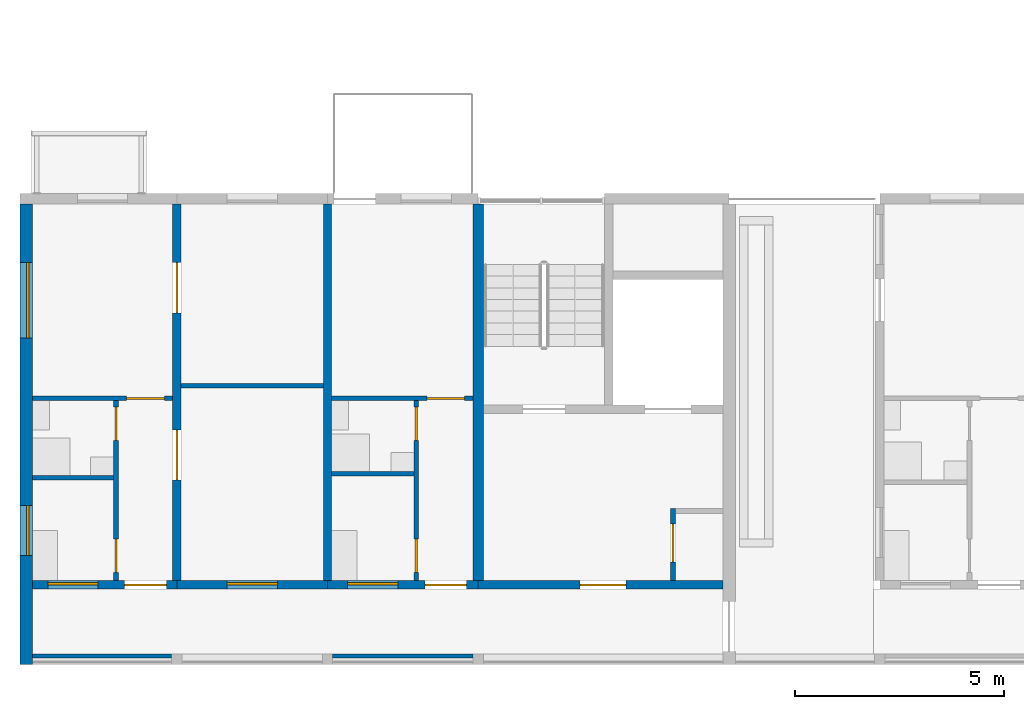
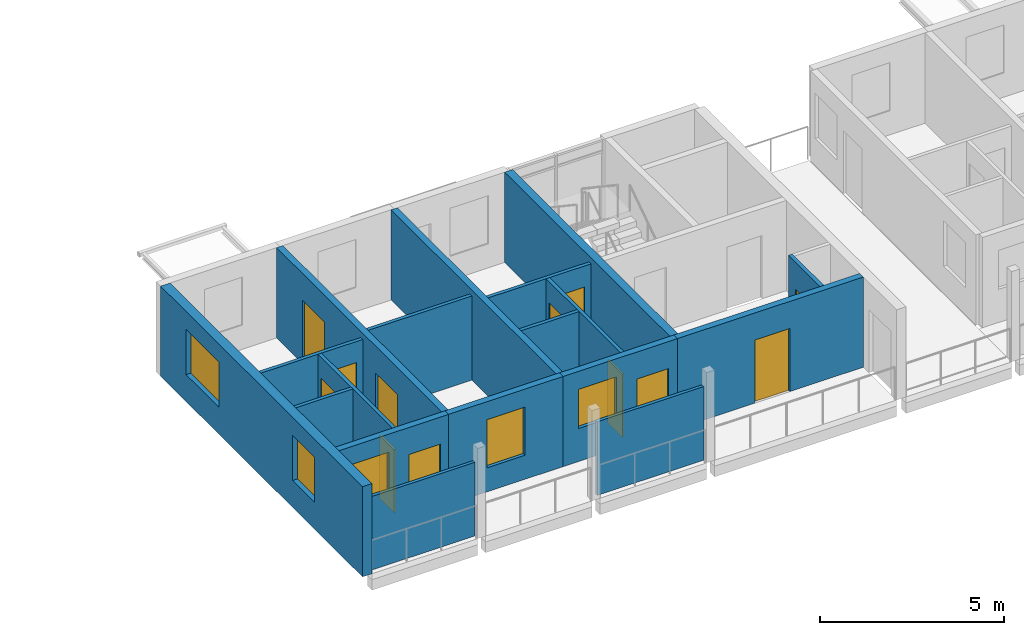
# One storey, part 31 of 78: 18 walls, 12 doors, 5 windows, 17 openings.
"""IFC4 building model written with IfcOpenShell, lengths in metres."""

from ifc_helpers import new_model, si_unit, direction, frame, frame_2d, origin, place, context, subcontext, project, spatial, rectangle, extrude, material, layer, layer_set, type_object, element, fill, save


model = new_model("IFC4")

# Units and contexts
model_context = context("Model", 3, precision=1e-05, world=origin(), true_north=direction((0.0, 1.0)))
body_context = subcontext(model_context, "Body", "Model", "MODEL_VIEW")
ifc_project = project(units=[si_unit("LENGTHUNIT", "METRE"), si_unit("AREAUNIT", "SQUARE_METRE"), si_unit("VOLUMEUNIT", "CUBIC_METRE"), si_unit("PLANEANGLEUNIT", "RADIAN"), si_unit("MASSUNIT", "GRAM", prefix="KILO")], contexts=[model_context])

# Site, building, storey
site_placement = place(None, origin())
site = spatial("IfcSite", under=ifc_project, at=site_placement, CompositionType="ELEMENT")
building_placement = place(site_placement, origin())
building = spatial("IfcBuilding", under=site, at=building_placement, Name="Ridgestep Commons", CompositionType="ELEMENT")
storey_placement = place(building_placement, frame((0.0, 0.0, 30.0)))
storey = spatial("IfcBuildingStorey", under=building, at=storey_placement, Name="L10", CompositionType="ELEMENT", Elevation=30.0)

# Wall
ifc_material_1 = material(Name="Concrete C30/37", Category="concrete")
ifc_layer_1 = layer(ifc_material_1, 0.25)
ifc_layer_set_1 = layer_set([ifc_layer_1], Name="Core cross wall 250")
wall_type_1 = type_object("IfcWallType", Name="Core cross wall 250", PredefinedType="SHEAR", material=ifc_layer_set_1)
wall_1_placement = place(storey_placement, frame((22.800048828125, 13.75, 0.0), z_axis=(0.0, 0.0, 1.0), x_axis=(0.0, 1.0, 0.0)))
element("IfcWall", 1, at=wall_1_placement, inside=storey, type_object=wall_type_1, Name="Cross wall A-10-0228", PredefinedType="SHEAR", context=body_context, shape_type="SweptSolid", body=[
    extrude(rectangle(XDim=9.0, YDim=0.25, at=frame_2d((4.5, 0.0))), origin(), (0.0, 0.0, 1.0), 3.0),
])

# Wall, opening, door
ifc_material_2 = material(Name="Concrete C30/37", Category="concrete")
ifc_layer_2 = layer(ifc_material_2, 0.199951171875)
ifc_layer_set_2 = layer_set([ifc_layer_2], Name="Core south wall 200")
wall_type_2 = type_object("IfcWallType", Name="Core south wall 200", PredefinedType="SHEAR", material=ifc_layer_set_2)
wall_2_placement = place(storey_placement, frame((22.800048828125, 13.64990234375, 0.0), z_axis=(0.0, 0.0, 1.0), x_axis=(1.0, 0.0, 0.0)))
wall_2 = element("IfcWall", 2, at=wall_2_placement, inside=storey, type_object=wall_type_2, Name="Core south wall A1C L10", PredefinedType="SHEAR", context=body_context, shape_type="SweptSolid", body=[
    extrude(rectangle(XDim=5.849853515625, YDim=0.199951171875, at=frame_2d((2.9248046875, 0.0))), origin(), (0.0, 0.0, 1.0), 3.0),
])
opening_1_placement = place(wall_2_placement, frame((2.4375, 0.0, 0.0)))
opening_1 = element("IfcOpeningElement", 3, at=opening_1_placement, cuts=wall_2, Name="Opening A1C/10/1", PredefinedType="OPENING", context=body_context, shape_type="SweptSolid", body=[
    extrude(rectangle(XDim=1.10009765625, YDim=2.10009765625, at=frame_2d((0.550048828125, 1.050048828125))), frame((0.0, 0.10986328125, 0.0), z_axis=(0.0, -1.0, 0.0), x_axis=(1.0, 0.0, 0.0)), (0.0, 0.0, 1.0), 0.219970703125),
])
ifc_material_3 = material(Name="Steel fire door", Category="steel")
door_type_1 = type_object("IfcDoorType", Name="Lobby door 1100 x 2100 FD60", OperationType="NOTDEFINED", PredefinedType="DOOR", material=ifc_material_3)
door_1_placement = place(opening_1_placement, origin())
door_1 = element("IfcDoor", 4, at=door_1_placement, inside=storey, type_object=door_type_1, Name="Lobby door A1C/10/1", OperationType="SINGLE_SWING_LEFT", OverallHeight=2.10009765625, OverallWidth=1.10009765625, PredefinedType="DOOR", context=body_context, shape_type="SweptSolid", body=[
    extrude(rectangle(XDim=1.10009765625, YDim=2.10009765625, at=frame_2d((0.550048828125, 1.050048828125))), frame((0.0, 0.02490234375, 0.0), z_axis=(0.0, -1.0, 0.0), x_axis=(1.0, 0.0, 0.0)), (0.0, 0.0, 1.0), 0.050048828125),
])
fill(opening_1, door_1)

ifc_material_4 = material(Name="Concrete C30/37", Category="concrete")
ifc_layer_3 = layer(ifc_material_4, 0.1201171875)
ifc_layer_set_3 = layer_set([ifc_layer_3], Name="Core wall 120")
wall_type_3 = type_object("IfcWallType", Name="Core wall 120", PredefinedType="SHEAR", material=ifc_layer_set_3)
wall_3_placement = place(storey_placement, frame((27.4599609375, 13.75, 0.0), z_axis=(0.0, 0.0, 1.0), x_axis=(0.0, 1.0, 0.0)))
wall_3 = element("IfcWall", 5, at=wall_3_placement, inside=storey, type_object=wall_type_3, Name="Core riser w wall A1C L10", PredefinedType="SHEAR", context=body_context, shape_type="SweptSolid", body=[
    extrude(rectangle(XDim=1.719970703125, YDim=0.1201171875, at=frame_2d((0.85986328125, 0.0))), origin(), (0.0, 0.0, 1.0), 3.0),
])
opening_2_placement = place(wall_3_placement, frame((0.449951171875, 0.0, 0.0)))
opening_2 = element("IfcOpeningElement", 6, at=opening_2_placement, cuts=wall_3, Name="Opening A1C/10/4", PredefinedType="OPENING", context=body_context, shape_type="SweptSolid", body=[
    extrude(rectangle(XDim=0.89990234375, YDim=2.10009765625, at=frame_2d((0.449951171875, 1.050048828125))), frame((0.0, 0.070068359375, 0.0), z_axis=(0.0, -1.0, 0.0), x_axis=(1.0, 0.0, 0.0)), (0.0, 0.0, 1.0), 0.14013671875),
])
ifc_material_5 = material(Name="Steel fire door", Category="steel")
door_type_2 = type_object("IfcDoorType", Name="Riser door 900 x 2100 FD60", OperationType="NOTDEFINED", PredefinedType="DOOR", material=ifc_material_5)
door_2_placement = place(opening_2_placement, origin())
door_2 = element("IfcDoor", 7, at=door_2_placement, inside=storey, type_object=door_type_2, Name="Riser door A1C/10/4", OperationType="SINGLE_SWING_LEFT", OverallHeight=2.10009765625, OverallWidth=0.89990234375, PredefinedType="DOOR", context=body_context, shape_type="SweptSolid", body=[
    extrude(rectangle(XDim=0.89990234375, YDim=2.10009765625, at=frame_2d((0.449951171875, 1.050048828125))), frame((0.0, 0.02490234375, 0.0), z_axis=(0.0, -1.0, 0.0), x_axis=(1.0, 0.0, 0.0)), (0.0, 0.0, 1.0), 0.050048828125),
])
fill(opening_2, door_2)

# Wall, openings, doors
ifc_material_6 = material(Name="Precast concrete C40/50", Category="concrete")
ifc_layer_4 = layer(ifc_material_6, 0.199951171875)
ifc_layer_set_4 = layer_set([ifc_layer_4], Name="Cross wall 200")
wall_type_4 = type_object("IfcWallType", Name="Cross wall 200", PredefinedType="SHEAR", material=ifc_layer_set_4)
wall_4_placement = place(storey_placement, frame((15.60009765625, 13.75, 0.0), z_axis=(0.0, 0.0, 1.0), x_axis=(0.0, 1.0, 0.0)))
wall_4 = element("IfcWall", 8, at=wall_4_placement, inside=storey, type_object=wall_type_4, Name="Cross wall A-10-0156", PredefinedType="SHEAR", context=body_context, shape_type="SweptSolid", body=[
    extrude(rectangle(XDim=9.0, YDim=0.199951171875, at=frame_2d((4.5, 0.0))), origin(), (0.0, 0.0, 1.0), 3.0),
])
opening_3_placement = place(wall_4_placement, frame((2.39990234375, 0.0, 0.0)))
opening_3 = element("IfcOpeningElement", 9, at=opening_3_placement, cuts=wall_4, Name="Opening A1-10a/5", PredefinedType="OPENING", context=body_context, shape_type="SweptSolid", body=[
    extrude(rectangle(XDim=1.199951171875, YDim=2.10009765625, at=frame_2d((0.60009765625, 1.050048828125))), frame((0.0, 0.10986328125, 0.0), z_axis=(0.0, -1.0, 0.0), x_axis=(1.0, 0.0, 0.0)), (0.0, 0.0, 1.0), 0.219970703125),
])
opening_4_placement = place(wall_4_placement, frame((6.39990234375, 0.0, 0.0)))
opening_4 = element("IfcOpeningElement", 10, at=opening_4_placement, cuts=wall_4, Name="Opening A1-10a/6", PredefinedType="OPENING", context=body_context, shape_type="SweptSolid", body=[
    extrude(rectangle(XDim=1.199951171875, YDim=2.10009765625, at=frame_2d((0.60009765625, 1.050048828125))), frame((0.0, 0.10986328125, 0.0), z_axis=(0.0, -1.0, 0.0), x_axis=(1.0, 0.0, 0.0)), (0.0, 0.0, 1.0), 0.219970703125),
])
ifc_material_7 = material(Name="Timber door leaf", Category="wood")
door_type_3 = type_object("IfcDoorType", Name="Double door 1200 x 2100", OperationType="DOUBLE_DOOR_SINGLE_SWING", PredefinedType="DOOR", material=ifc_material_7)
door_3_placement = place(opening_3_placement, origin())
door_3 = element("IfcDoor", 11, at=door_3_placement, inside=storey, type_object=door_type_3, Name="Double door A1-10a/5", OperationType="DOUBLE_DOOR_SINGLE_SWING", OverallHeight=2.10009765625, OverallWidth=1.199951171875, PredefinedType="DOOR", context=body_context, shape_type="SweptSolid", body=[
    extrude(rectangle(XDim=1.199951171875, YDim=2.10009765625, at=frame_2d((0.60009765625, 1.050048828125))), frame((0.0, 0.02490234375, 0.0), z_axis=(0.0, -1.0, 0.0), x_axis=(1.0, 0.0, 0.0)), (0.0, 0.0, 1.0), 0.050048828125),
])
fill(opening_3, door_3)
door_4_placement = place(opening_4_placement, origin())
door_4 = element("IfcDoor", 12, at=door_4_placement, inside=storey, type_object=door_type_3, Name="Double door A1-10a/6", OperationType="DOUBLE_DOOR_SINGLE_SWING", OverallHeight=2.10009765625, OverallWidth=1.199951171875, PredefinedType="DOOR", context=body_context, shape_type="SweptSolid", body=[
    extrude(rectangle(XDim=1.199951171875, YDim=2.10009765625, at=frame_2d((0.60009765625, 1.050048828125))), frame((0.0, 0.02490234375, 0.0), z_axis=(0.0, -1.0, 0.0), x_axis=(1.0, 0.0, 0.0)), (0.0, 0.0, 1.0), 0.050048828125),
])
fill(opening_4, door_4)

# Wall
wall_5_placement = place(storey_placement, frame((19.199951171875, 13.75, 0.0), z_axis=(0.0, 0.0, 1.0), x_axis=(0.0, 1.0, 0.0)))
element("IfcWall", 13, at=wall_5_placement, inside=storey, type_object=wall_type_4, Name="Cross wall A-10-0192", PredefinedType="SHEAR", context=body_context, shape_type="SweptSolid", body=[
    extrude(rectangle(XDim=9.0, YDim=0.199951171875, at=frame_2d((4.5, 0.0))), origin(), (0.0, 0.0, 1.0), 3.0),
])

# Wall, openings, windows
ifc_material_8 = material(Name="Precast concrete C40/50", Category="concrete")
ifc_layer_5 = layer(ifc_material_8, 0.300048828125)
ifc_layer_set_5 = layer_set([ifc_layer_5], Name="Exposed division wall 300")
wall_type_5 = type_object("IfcWallType", Name="Exposed division wall 300", PredefinedType="SHEAR", material=ifc_layer_set_5)
wall_6_placement = place(storey_placement, frame((12.0, 11.75, 0.0), z_axis=(0.0, 0.0, 1.0), x_axis=(0.0, 1.0, 0.0)))
wall_6 = element("IfcWall", 14, at=wall_6_placement, inside=storey, type_object=wall_type_5, Name="Cross wall A-10-0120", PredefinedType="SHEAR", context=body_context, shape_type="SweptSolid", body=[
    extrude(rectangle(XDim=11.0, YDim=0.300048828125, at=frame_2d((5.5, 0.0))), origin(), (0.0, 0.0, 1.0), 3.0),
])
opening_5_placement = place(wall_6_placement, frame((2.60009765625, 0.0, 0.89990234375)))
opening_5 = element("IfcOpeningElement", 15, at=opening_5_placement, cuts=wall_6, Name="Opening W10", PredefinedType="OPENING", context=body_context, shape_type="SweptSolid", body=[
    extrude(rectangle(XDim=1.199951171875, YDim=1.5, at=frame_2d((0.60009765625, 0.75))), frame((0.0, 0.159912109375, 0.0), z_axis=(0.0, -1.0, 0.0), x_axis=(1.0, 0.0, 0.0)), (0.0, 0.0, 1.0), 0.320068359375),
])
opening_6_placement = place(wall_6_placement, frame((7.804931640625, 0.0, 0.89990234375)))
opening_6 = element("IfcOpeningElement", 16, at=opening_6_placement, cuts=wall_6, Name="Opening W20", PredefinedType="OPENING", context=body_context, shape_type="SweptSolid", body=[
    extrude(rectangle(XDim=1.800048828125, YDim=1.5, at=frame_2d((0.89990234375, 0.75))), frame((0.0, 0.159912109375, 0.0), z_axis=(0.0, -1.0, 0.0), x_axis=(1.0, 0.0, 0.0)), (0.0, 0.0, 1.0), 0.320068359375),
])
ifc_material_9 = material(Name="Aluminium 6063-T6 and glass", Category="aluminium")
window_type_1 = type_object("IfcWindowType", Name="Flat window 1200 x 1500", PartitioningType="SINGLE_PANEL", PredefinedType="WINDOW", material=ifc_material_9)
window_1_placement = place(opening_5_placement, origin())
window_1 = element("IfcWindow", 17, at=window_1_placement, inside=storey, type_object=window_type_1, Name="Window A1-10a 5", OverallHeight=1.5, OverallWidth=1.199951171875, PartitioningType="SINGLE_PANEL", PredefinedType="WINDOW", context=body_context, shape_type="SweptSolid", body=[
    extrude(rectangle(XDim=1.199951171875, YDim=1.5, at=frame_2d((0.60009765625, 0.75))), frame((0.0, 0.0, 0.0), z_axis=(0.0, -1.0, 0.0), x_axis=(1.0, 0.0, 0.0)), (0.0, 0.0, 1.0), 0.06005859375),
])
fill(opening_5, window_1)
ifc_material_10 = material(Name="Aluminium 6063-T6 and glass", Category="aluminium")
window_type_2 = type_object("IfcWindowType", Name="Flat window 1800 x 1500", PartitioningType="DOUBLE_PANEL_VERTICAL", PredefinedType="WINDOW", material=ifc_material_10)
window_2_placement = place(opening_6_placement, origin())
window_2 = element("IfcWindow", 18, at=window_2_placement, inside=storey, type_object=window_type_2, Name="Window A1-10a 6", OverallHeight=1.5, OverallWidth=1.800048828125, PartitioningType="SINGLE_PANEL", PredefinedType="WINDOW", context=body_context, shape_type="SweptSolid", body=[
    extrude(rectangle(XDim=1.800048828125, YDim=1.5, at=frame_2d((0.89990234375, 0.75))), frame((0.0, 0.0, 0.0), z_axis=(0.0, -1.0, 0.0), x_axis=(1.0, 0.0, 0.0)), (0.0, 0.0, 1.0), 0.06005859375),
])
fill(opening_6, window_2)

# Wall
ifc_material_11 = material(Name="Common brick 110 mm", Category="masonry")
ifc_layer_6 = layer(ifc_material_11, 0.110107421875)
ifc_layer_set_6 = layer_set([ifc_layer_6], Name="Partition 110")
wall_type_6 = type_object("IfcWallType", Name="Partition 110", PredefinedType="PARTITIONING", material=ifc_layer_set_6)
wall_7_placement = place(storey_placement, frame((12.14990234375, 16.205078125, 0.0), z_axis=(0.0, 0.0, 1.0), x_axis=(1.0, 0.0, 0.0)))
element("IfcWall", 19, at=wall_7_placement, inside=storey, type_object=wall_type_6, Name="Partition A1-10a", PredefinedType="PARTITIONING", context=body_context, shape_type="SweptSolid", body=[
    extrude(rectangle(XDim=1.940185546875, YDim=0.110107421875, at=frame_2d((0.97021484375, 0.0))), origin(), (0.0, 0.0, 1.0), 2.800048828125),
])

# Wall, openings, doors
wall_8_placement = place(storey_placement, frame((14.14501953125, 13.75, 0.0), z_axis=(0.0, 0.0, 1.0), x_axis=(0.0, 1.0, 0.0)))
wall_8 = element("IfcWall", 20, at=wall_8_placement, inside=storey, type_object=wall_type_6, Name="Partition A1-10a", PredefinedType="PARTITIONING", context=body_context, shape_type="SweptSolid", body=[
    extrude(rectangle(XDim=4.300048828125, YDim=0.110107421875, at=frame_2d((2.14990234375, 0.0))), origin(), (0.0, 0.0, 1.0), 2.800048828125),
])
opening_7_placement = place(wall_8_placement, frame((0.199951171875, 0.0, 0.0)))
opening_7 = element("IfcOpeningElement", 21, at=opening_7_placement, cuts=wall_8, Name="Opening A1-10a/2", PredefinedType="OPENING", context=body_context, shape_type="SweptSolid", body=[
    extrude(rectangle(XDim=0.800048828125, YDim=2.10009765625, at=frame_2d((0.39990234375, 1.050048828125))), frame((0.0, 0.06494140625, 0.0), z_axis=(0.0, -1.0, 0.0), x_axis=(1.0, 0.0, 0.0)), (0.0, 0.0, 1.0), 0.130126953125),
])
opening_8_placement = place(wall_8_placement, frame((3.35009765625, 0.0, 0.0)))
opening_8 = element("IfcOpeningElement", 22, at=opening_8_placement, cuts=wall_8, Name="Opening A1-10a/3", PredefinedType="OPENING", context=body_context, shape_type="SweptSolid", body=[
    extrude(rectangle(XDim=0.800048828125, YDim=2.10009765625, at=frame_2d((0.39990234375, 1.050048828125))), frame((0.0, 0.06494140625, 0.0), z_axis=(0.0, -1.0, 0.0), x_axis=(1.0, 0.0, 0.0)), (0.0, 0.0, 1.0), 0.130126953125),
])
ifc_material_12 = material(Name="Timber door leaf", Category="wood")
door_type_4 = type_object("IfcDoorType", Name="Internal door 800 x 2100", OperationType="NOTDEFINED", PredefinedType="DOOR", material=ifc_material_12)
door_5_placement = place(opening_7_placement, origin())
door_5 = element("IfcDoor", 23, at=door_5_placement, inside=storey, type_object=door_type_4, Name="Internal door A1-10a/2", OperationType="SINGLE_SWING_LEFT", OverallHeight=2.10009765625, OverallWidth=0.800048828125, PredefinedType="DOOR", context=body_context, shape_type="SweptSolid", body=[
    extrude(rectangle(XDim=0.800048828125, YDim=2.10009765625, at=frame_2d((0.39990234375, 1.050048828125))), frame((0.0, 0.02490234375, 0.0), z_axis=(0.0, -1.0, 0.0), x_axis=(1.0, 0.0, 0.0)), (0.0, 0.0, 1.0), 0.050048828125),
])
fill(opening_7, door_5)
door_6_placement = place(opening_8_placement, origin())
door_6 = element("IfcDoor", 24, at=door_6_placement, inside=storey, type_object=door_type_4, Name="Internal door A1-10a/3", OperationType="SINGLE_SWING_RIGHT", OverallHeight=2.10009765625, OverallWidth=0.800048828125, PredefinedType="DOOR", context=body_context, shape_type="SweptSolid", body=[
    extrude(rectangle(XDim=0.800048828125, YDim=2.10009765625, at=frame_2d((0.39990234375, 1.050048828125))), frame((0.0, 0.02490234375, 0.0), z_axis=(0.0, -1.0, 0.0), x_axis=(1.0, 0.0, 0.0)), (0.0, 0.0, 1.0), 0.050048828125),
])
fill(opening_8, door_6)

# Wall, opening, door
wall_9_placement = place(storey_placement, frame((12.14990234375, 18.10498046875, 0.0), z_axis=(0.0, 0.0, 1.0), x_axis=(1.0, 0.0, 0.0)))
wall_9 = element("IfcWall", 25, at=wall_9_placement, inside=storey, type_object=wall_type_6, Name="Partition A1-10a", PredefinedType="PARTITIONING", context=body_context, shape_type="SweptSolid", body=[
    extrude(rectangle(XDim=3.35009765625, YDim=0.110107421875, at=frame_2d((1.675048828125, 0.0))), origin(), (0.0, 0.0, 1.0), 2.800048828125),
])
opening_9_placement = place(wall_9_placement, frame((2.25, 0.0, 0.0)))
opening_9 = element("IfcOpeningElement", 26, at=opening_9_placement, cuts=wall_9, Name="Opening A1-10a/4", PredefinedType="OPENING", context=body_context, shape_type="SweptSolid", body=[
    extrude(rectangle(XDim=0.89990234375, YDim=2.10009765625, at=frame_2d((0.449951171875, 1.050048828125))), frame((0.0, 0.06494140625, 0.0), z_axis=(0.0, -1.0, 0.0), x_axis=(1.0, 0.0, 0.0)), (0.0, 0.0, 1.0), 0.130126953125),
])
ifc_material_13 = material(Name="Timber door leaf", Category="wood")
door_type_5 = type_object("IfcDoorType", Name="Internal door 900 x 2100", OperationType="NOTDEFINED", PredefinedType="DOOR", material=ifc_material_13)
door_7_placement = place(opening_9_placement, origin())
door_7 = element("IfcDoor", 27, at=door_7_placement, inside=storey, type_object=door_type_5, Name="Internal door A1-10a/4", OperationType="SINGLE_SWING_LEFT", OverallHeight=2.10009765625, OverallWidth=0.89990234375, PredefinedType="DOOR", context=body_context, shape_type="SweptSolid", body=[
    extrude(rectangle(XDim=0.89990234375, YDim=2.10009765625, at=frame_2d((0.449951171875, 1.050048828125))), frame((0.0, 0.02490234375, 0.0), z_axis=(0.0, -1.0, 0.0), x_axis=(1.0, 0.0, 0.0)), (0.0, 0.0, 1.0), 0.050048828125),
])
fill(opening_9, door_7)

# Walls
wall_10_placement = place(storey_placement, frame((15.699951171875, 18.405029296875, 0.0), z_axis=(0.0, 0.0, 1.0), x_axis=(1.0, 0.0, 0.0)))
element("IfcWall", 28, at=wall_10_placement, inside=storey, type_object=wall_type_6, Name="Partition A1-10a", PredefinedType="PARTITIONING", context=body_context, shape_type="SweptSolid", body=[
    extrude(rectangle(XDim=3.400146484375, YDim=0.110107421875, at=frame_2d((1.7001953125, 0.0))), origin(), (0.0, 0.0, 1.0), 2.800048828125),
])
wall_11_placement = place(storey_placement, frame((19.300048828125, 16.304931640625, 0.0), z_axis=(0.0, 0.0, 1.0), x_axis=(1.0, 0.0, 0.0)))
element("IfcWall", 29, at=wall_11_placement, inside=storey, type_object=wall_type_6, Name="Partition A1-10b", PredefinedType="PARTITIONING", context=body_context, shape_type="SweptSolid", body=[
    extrude(rectangle(XDim=1.96484375, YDim=0.110107421875, at=frame_2d((0.982421875, 0.0))), origin(), (0.0, 0.0, 1.0), 2.800048828125),
])

# Wall, openings, doors
wall_12_placement = place(storey_placement, frame((21.320068359375, 13.75, 0.0), z_axis=(0.0, 0.0, 1.0), x_axis=(0.0, 1.0, 0.0)))
wall_12 = element("IfcWall", 30, at=wall_12_placement, inside=storey, type_object=wall_type_6, Name="Partition A1-10b", PredefinedType="PARTITIONING", context=body_context, shape_type="SweptSolid", body=[
    extrude(rectangle(XDim=4.300048828125, YDim=0.110107421875, at=frame_2d((2.14990234375, 0.0))), origin(), (0.0, 0.0, 1.0), 2.800048828125),
])
opening_10_placement = place(wall_12_placement, frame((0.199951171875, 0.0, 0.0)))
opening_10 = element("IfcOpeningElement", 31, at=opening_10_placement, cuts=wall_12, Name="Opening A1-10b/2", PredefinedType="OPENING", context=body_context, shape_type="SweptSolid", body=[
    extrude(rectangle(XDim=0.800048828125, YDim=2.10009765625, at=frame_2d((0.39990234375, 1.050048828125))), frame((0.0, 0.06494140625, 0.0), z_axis=(0.0, -1.0, 0.0), x_axis=(1.0, 0.0, 0.0)), (0.0, 0.0, 1.0), 0.130126953125),
])
opening_11_placement = place(wall_12_placement, frame((3.35009765625, 0.0, 0.0)))
opening_11 = element("IfcOpeningElement", 32, at=opening_11_placement, cuts=wall_12, Name="Opening A1-10b/3", PredefinedType="OPENING", context=body_context, shape_type="SweptSolid", body=[
    extrude(rectangle(XDim=0.800048828125, YDim=2.10009765625, at=frame_2d((0.39990234375, 1.050048828125))), frame((0.0, 0.06494140625, 0.0), z_axis=(0.0, -1.0, 0.0), x_axis=(1.0, 0.0, 0.0)), (0.0, 0.0, 1.0), 0.130126953125),
])
door_8_placement = place(opening_10_placement, origin())
door_8 = element("IfcDoor", 33, at=door_8_placement, inside=storey, type_object=door_type_4, Name="Internal door A1-10b/2", OperationType="SINGLE_SWING_LEFT", OverallHeight=2.10009765625, OverallWidth=0.800048828125, PredefinedType="DOOR", context=body_context, shape_type="SweptSolid", body=[
    extrude(rectangle(XDim=0.800048828125, YDim=2.10009765625, at=frame_2d((0.39990234375, 1.050048828125))), frame((0.0, 0.02490234375, 0.0), z_axis=(0.0, -1.0, 0.0), x_axis=(1.0, 0.0, 0.0)), (0.0, 0.0, 1.0), 0.050048828125),
])
fill(opening_10, door_8)
door_9_placement = place(opening_11_placement, origin())
door_9 = element("IfcDoor", 34, at=door_9_placement, inside=storey, type_object=door_type_4, Name="Internal door A1-10b/3", OperationType="SINGLE_SWING_RIGHT", OverallHeight=2.10009765625, OverallWidth=0.800048828125, PredefinedType="DOOR", context=body_context, shape_type="SweptSolid", body=[
    extrude(rectangle(XDim=0.800048828125, YDim=2.10009765625, at=frame_2d((0.39990234375, 1.050048828125))), frame((0.0, 0.02490234375, 0.0), z_axis=(0.0, -1.0, 0.0), x_axis=(1.0, 0.0, 0.0)), (0.0, 0.0, 1.0), 0.050048828125),
])
fill(opening_11, door_9)

# Wall, opening, door
wall_13_placement = place(storey_placement, frame((19.300048828125, 18.10498046875, 0.0), z_axis=(0.0, 0.0, 1.0), x_axis=(1.0, 0.0, 0.0)))
wall_13 = element("IfcWall", 35, at=wall_13_placement, inside=storey, type_object=wall_type_6, Name="Partition A1-10b", PredefinedType="PARTITIONING", context=body_context, shape_type="SweptSolid", body=[
    extrude(rectangle(XDim=3.375, YDim=0.110107421875, at=frame_2d((1.6875, 0.0))), origin(), (0.0, 0.0, 1.0), 2.800048828125),
])
opening_12_placement = place(wall_13_placement, frame((2.27490234375, 0.0, 0.0)))
opening_12 = element("IfcOpeningElement", 36, at=opening_12_placement, cuts=wall_13, Name="Opening A1-10b/4", PredefinedType="OPENING", context=body_context, shape_type="SweptSolid", body=[
    extrude(rectangle(XDim=0.89990234375, YDim=2.10009765625, at=frame_2d((0.449951171875, 1.050048828125))), frame((0.0, 0.06494140625, 0.0), z_axis=(0.0, -1.0, 0.0), x_axis=(1.0, 0.0, 0.0)), (0.0, 0.0, 1.0), 0.130126953125),
])
door_10_placement = place(opening_12_placement, origin())
door_10 = element("IfcDoor", 37, at=door_10_placement, inside=storey, type_object=door_type_5, Name="Internal door A1-10b/4", OperationType="SINGLE_SWING_LEFT", OverallHeight=2.10009765625, OverallWidth=0.89990234375, PredefinedType="DOOR", context=body_context, shape_type="SweptSolid", body=[
    extrude(rectangle(XDim=0.89990234375, YDim=2.10009765625, at=frame_2d((0.449951171875, 1.050048828125))), frame((0.0, 0.02490234375, 0.0), z_axis=(0.0, -1.0, 0.0), x_axis=(1.0, 0.0, 0.0)), (0.0, 0.0, 1.0), 0.050048828125),
])
fill(opening_12, door_10)

# Walls
ifc_material_14 = material(Name="Precast concrete C30/37", Category="concrete")
ifc_layer_7 = layer(ifc_material_14, 0.10009765625)
ifc_layer_set_7 = layer_set([ifc_layer_7], Name="Perforated gallery screen 3325 x 2450 x 100")
wall_type_7 = type_object("IfcWallType", Name="Perforated gallery screen 3325 x 2450 x 100", PredefinedType="SOLIDWALL", material=ifc_layer_set_7)
wall_14_placement = place(storey_placement, frame((12.14990234375, 11.949951171875, 0.0), z_axis=(0.0, 0.0, 1.0), x_axis=(1.0, 0.0, 0.0)))
element("IfcWall", 38, at=wall_14_placement, inside=storey, type_object=wall_type_7, Name="Gallery screen A1T1 10", PredefinedType="SOLIDWALL", context=body_context, shape_type="SweptSolid", body=[
    extrude(rectangle(XDim=3.3251953125, YDim=0.10009765625, at=frame_2d((1.66259765625, 0.0))), origin(), (0.0, 0.0, 1.0), 2.449951171875),
])
ifc_material_15 = material(Name="Precast concrete C30/37", Category="concrete")
ifc_layer_8 = layer(ifc_material_15, 0.10009765625)
ifc_layer_set_8 = layer_set([ifc_layer_8], Name="Perforated gallery screen 3350 x 2450 x 100")
wall_type_8 = type_object("IfcWallType", Name="Perforated gallery screen 3350 x 2450 x 100", PredefinedType="SOLIDWALL", material=ifc_layer_set_8)
wall_15_placement = place(storey_placement, frame((19.324951171875, 11.949951171875, 0.0), z_axis=(0.0, 0.0, 1.0), x_axis=(1.0, 0.0, 0.0)))
element("IfcWall", 39, at=wall_15_placement, inside=storey, type_object=wall_type_8, Name="Gallery screen A1T3 10", PredefinedType="SOLIDWALL", context=body_context, shape_type="SweptSolid", body=[
    extrude(rectangle(XDim=3.35009765625, YDim=0.10009765625, at=frame_2d((1.675048828125, 0.0))), origin(), (0.0, 0.0, 1.0), 2.449951171875),
])

# Wall, openings, door, window
ifc_material_16 = material(Name="Precast concrete C40/50", Category="concrete")
ifc_layer_9 = layer(ifc_material_16, 0.199951171875)
ifc_layer_set_9 = layer_set([ifc_layer_9], Name="South facade panel 200")
wall_type_9 = type_object("IfcWallType", Name="South facade panel 200", PredefinedType="SOLIDWALL", material=ifc_layer_set_9)
wall_16_placement = place(storey_placement, frame((12.14990234375, 13.64990234375, 0.0), z_axis=(0.0, 0.0, 1.0), x_axis=(1.0, 0.0, 0.0)))
wall_16 = element("IfcWall", 40, at=wall_16_placement, inside=storey, type_object=wall_type_9, Name="South panel A1T1 L10", PredefinedType="SOLIDWALL", context=body_context, shape_type="SweptSolid", body=[
    extrude(rectangle(XDim=3.4501953125, YDim=0.199951171875, at=frame_2d((1.72509765625, 0.0))), origin(), (0.0, 0.0, 1.0), 3.0),
])
opening_13_placement = place(wall_16_placement, frame((0.3701171875, 0.0, 1.10009765625)))
opening_13 = element("IfcOpeningElement", 41, at=opening_13_placement, cuts=wall_16, Name="Opening W08", PredefinedType="OPENING", context=body_context, shape_type="SweptSolid", body=[
    extrude(rectangle(XDim=1.199951171875, YDim=1.300048828125, at=frame_2d((0.60009765625, 0.64990234375))), frame((0.0, 0.10986328125, 0.0), z_axis=(0.0, -1.0, 0.0), x_axis=(1.0, 0.0, 0.0)), (0.0, 0.0, 1.0), 0.219970703125),
])
opening_14_placement = place(wall_16_placement, frame((2.199951171875, 0.0, 0.0)))
opening_14 = element("IfcOpeningElement", 42, at=opening_14_placement, cuts=wall_16, Name="Opening A1-10a/1", PredefinedType="OPENING", context=body_context, shape_type="SweptSolid", body=[
    extrude(rectangle(XDim=1.0, YDim=2.10009765625, at=frame_2d((0.5, 1.050048828125))), frame((0.0, 0.10986328125, 0.0), z_axis=(0.0, -1.0, 0.0), x_axis=(1.0, 0.0, 0.0)), (0.0, 0.0, 1.0), 0.219970703125),
])
ifc_material_17 = material(Name="Timber door leaf", Category="wood")
door_type_6 = type_object("IfcDoorType", Name="Flat entrance door 1000 x 2100 FD30S", OperationType="NOTDEFINED", PredefinedType="DOOR", material=ifc_material_17)
door_11_placement = place(opening_14_placement, origin())
door_11 = element("IfcDoor", 43, at=door_11_placement, inside=storey, type_object=door_type_6, Name="Flat entrance door A1-10a/1", OperationType="SINGLE_SWING_RIGHT", OverallHeight=2.10009765625, OverallWidth=1.0, PredefinedType="DOOR", context=body_context, shape_type="SweptSolid", body=[
    extrude(rectangle(XDim=1.0, YDim=2.10009765625, at=frame_2d((0.5, 1.050048828125))), frame((0.0, 0.02490234375, 0.0), z_axis=(0.0, -1.0, 0.0), x_axis=(1.0, 0.0, 0.0)), (0.0, 0.0, 1.0), 0.050048828125),
])
fill(opening_14, door_11)
ifc_material_18 = material(Name="Aluminium 6063-T6 and glass", Category="aluminium")
window_type_3 = type_object("IfcWindowType", Name="Flat window 1200 x 1300", PartitioningType="SINGLE_PANEL", PredefinedType="WINDOW", material=ifc_material_18)
window_3_placement = place(opening_13_placement, origin())
window_3 = element("IfcWindow", 44, at=window_3_placement, inside=storey, type_object=window_type_3, Name="Window A1-10a 3", OverallHeight=1.300048828125, OverallWidth=1.199951171875, PartitioningType="SINGLE_PANEL", PredefinedType="WINDOW", context=body_context, shape_type="SweptSolid", body=[
    extrude(rectangle(XDim=1.199951171875, YDim=1.300048828125, at=frame_2d((0.60009765625, 0.64990234375))), frame((0.0, 0.06005859375, 0.0), z_axis=(0.0, -1.0, 0.0), x_axis=(1.0, 0.0, 0.0)), (0.0, 0.0, 1.0), 0.06005859375),
])
fill(opening_13, window_3)

# Wall, opening, window
wall_17_placement = place(storey_placement, frame((15.60009765625, 13.64990234375, 0.0), z_axis=(0.0, 0.0, 1.0), x_axis=(1.0, 0.0, 0.0)))
wall_17 = element("IfcWall", 45, at=wall_17_placement, inside=storey, type_object=wall_type_9, Name="South panel A1T2 L10", PredefinedType="SOLIDWALL", context=body_context, shape_type="SweptSolid", body=[
    extrude(rectangle(XDim=3.599853515625, YDim=0.199951171875, at=frame_2d((1.7998046875, 0.0))), origin(), (0.0, 0.0, 1.0), 3.0),
])
opening_15_placement = place(wall_17_placement, frame((1.199951171875, 0.0, 0.800048828125)))
opening_15 = element("IfcOpeningElement", 46, at=opening_15_placement, cuts=wall_17, Name="Opening W11", PredefinedType="OPENING", context=body_context, shape_type="SweptSolid", body=[
    extrude(rectangle(XDim=1.199951171875, YDim=1.60009765625, at=frame_2d((0.60009765625, 0.800048828125))), frame((0.0, 0.10986328125, 0.0), z_axis=(0.0, -1.0, 0.0), x_axis=(1.0, 0.0, 0.0)), (0.0, 0.0, 1.0), 0.219970703125),
])
ifc_material_19 = material(Name="Aluminium 6063-T6 and glass", Category="aluminium")
window_type_4 = type_object("IfcWindowType", Name="Flat window 1200 x 1600", PartitioningType="SINGLE_PANEL", PredefinedType="WINDOW", material=ifc_material_19)
window_4_placement = place(opening_15_placement, origin())
window_4 = element("IfcWindow", 47, at=window_4_placement, inside=storey, type_object=window_type_4, Name="Window A1-10a 1", OverallHeight=1.60009765625, OverallWidth=1.199951171875, PartitioningType="SINGLE_PANEL", PredefinedType="WINDOW", context=body_context, shape_type="SweptSolid", body=[
    extrude(rectangle(XDim=1.199951171875, YDim=1.60009765625, at=frame_2d((0.60009765625, 0.800048828125))), frame((0.0, 0.06005859375, 0.0), z_axis=(0.0, -1.0, 0.0), x_axis=(1.0, 0.0, 0.0)), (0.0, 0.0, 1.0), 0.06005859375),
])
fill(opening_15, window_4)

# Wall, openings, door, window
wall_18_placement = place(storey_placement, frame((19.199951171875, 13.64990234375, 0.0), z_axis=(0.0, 0.0, 1.0), x_axis=(1.0, 0.0, 0.0)))
wall_18 = element("IfcWall", 48, at=wall_18_placement, inside=storey, type_object=wall_type_9, Name="South panel A1T3 L10", PredefinedType="SOLIDWALL", context=body_context, shape_type="SweptSolid", body=[
    extrude(rectangle(XDim=3.60009765625, YDim=0.199951171875, at=frame_2d((1.800048828125, 0.0))), origin(), (0.0, 0.0, 1.0), 3.0),
])
opening_16_placement = place(wall_18_placement, frame((0.482421875, 0.0, 1.10009765625)))
opening_16 = element("IfcOpeningElement", 49, at=opening_16_placement, cuts=wall_18, Name="Opening W08", PredefinedType="OPENING", context=body_context, shape_type="SweptSolid", body=[
    extrude(rectangle(XDim=1.199951171875, YDim=1.300048828125, at=frame_2d((0.60009765625, 0.64990234375))), frame((0.0, 0.10986328125, 0.0), z_axis=(0.0, -1.0, 0.0), x_axis=(1.0, 0.0, 0.0)), (0.0, 0.0, 1.0), 0.219970703125),
])
opening_17_placement = place(wall_18_placement, frame((2.324951171875, 0.0, 0.0)))
opening_17 = element("IfcOpeningElement", 50, at=opening_17_placement, cuts=wall_18, Name="Opening A1-10b/1", PredefinedType="OPENING", context=body_context, shape_type="SweptSolid", body=[
    extrude(rectangle(XDim=1.0, YDim=2.10009765625, at=frame_2d((0.5, 1.050048828125))), frame((0.0, 0.10986328125, 0.0), z_axis=(0.0, -1.0, 0.0), x_axis=(1.0, 0.0, 0.0)), (0.0, 0.0, 1.0), 0.219970703125),
])
door_12_placement = place(opening_17_placement, origin())
door_12 = element("IfcDoor", 51, at=door_12_placement, inside=storey, type_object=door_type_6, Name="Flat entrance door A1-10b/1", OperationType="SINGLE_SWING_RIGHT", OverallHeight=2.10009765625, OverallWidth=1.0, PredefinedType="DOOR", context=body_context, shape_type="SweptSolid", body=[
    extrude(rectangle(XDim=1.0, YDim=2.10009765625, at=frame_2d((0.5, 1.050048828125))), frame((0.0, 0.02490234375, 0.0), z_axis=(0.0, -1.0, 0.0), x_axis=(1.0, 0.0, 0.0)), (0.0, 0.0, 1.0), 0.050048828125),
])
fill(opening_17, door_12)
window_5_placement = place(opening_16_placement, origin())
window_5 = element("IfcWindow", 52, at=window_5_placement, inside=storey, type_object=window_type_3, Name="Window A1-10b 1", OverallHeight=1.300048828125, OverallWidth=1.199951171875, PartitioningType="SINGLE_PANEL", PredefinedType="WINDOW", context=body_context, shape_type="SweptSolid", body=[
    extrude(rectangle(XDim=1.199951171875, YDim=1.300048828125, at=frame_2d((0.60009765625, 0.64990234375))), frame((0.0, 0.06005859375, 0.0), z_axis=(0.0, -1.0, 0.0), x_axis=(1.0, 0.0, 0.0)), (0.0, 0.0, 1.0), 0.06005859375),
])
fill(opening_16, window_5)

save(model, "model.ifc")
